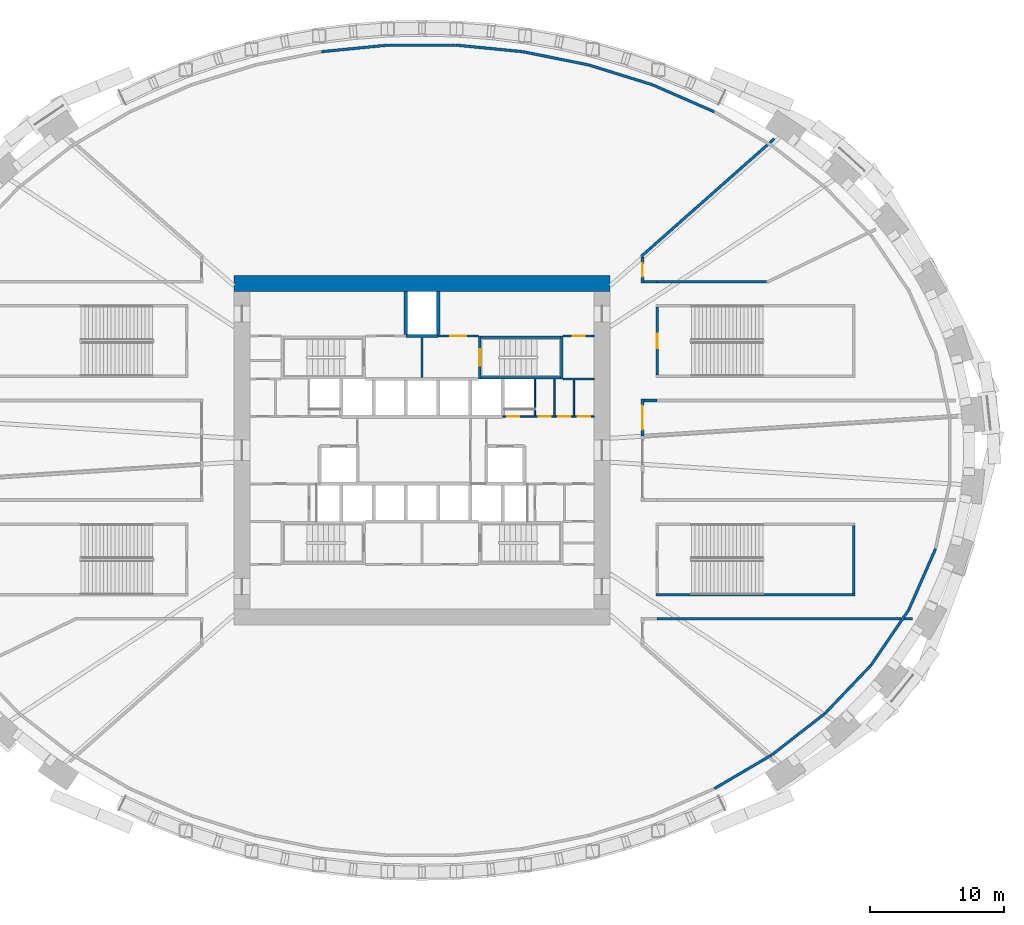
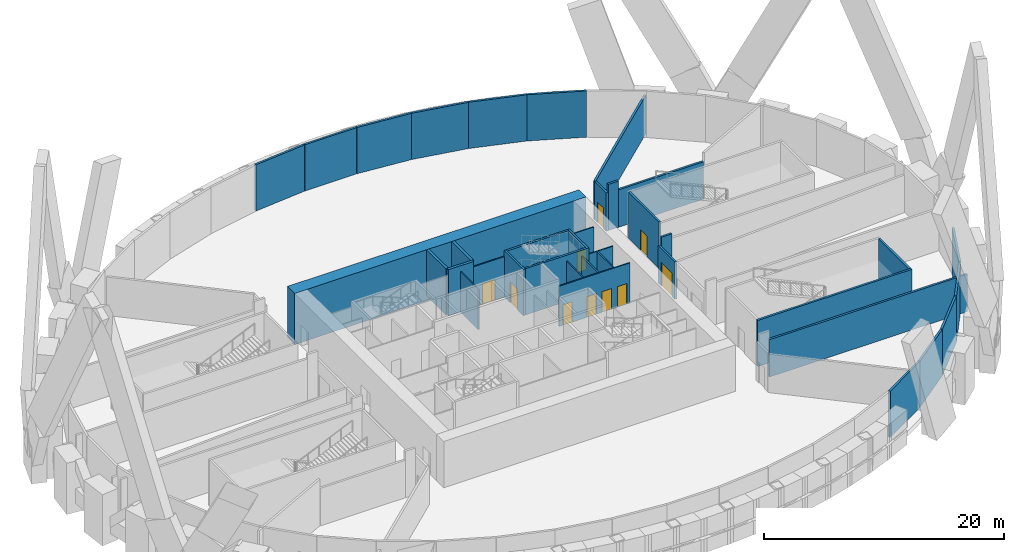
# One storey, part 10 of 16: 37 walls, 10 doors, 10 openings.
"""IFC4 building model written with IfcOpenShell, lengths in metres."""

from ifc_helpers import new_model, si_unit, direction, frame, frame_2d, origin, place, context, subcontext, project, spatial, rectangle, extrude, source, transform, mapped, material, layer, layer_set, type_object, element, fill, save


model = new_model("IFC4")

# Units and contexts
model_context = context("Model", 3, precision=1e-05, world=origin(), true_north=direction((0.0, 1.0)))
body_context = subcontext(model_context, "Body", "Model", "MODEL_VIEW")
ifc_project = project(units=[si_unit("LENGTHUNIT", "METRE"), si_unit("AREAUNIT", "SQUARE_METRE"), si_unit("VOLUMEUNIT", "CUBIC_METRE"), si_unit("PLANEANGLEUNIT", "RADIAN"), si_unit("MASSUNIT", "GRAM", prefix="KILO")], contexts=[model_context])

# Site, building, storey
site_placement = place(None, origin())
site = spatial("IfcSite", under=ifc_project, at=site_placement, CompositionType="ELEMENT")
building_placement = place(site_placement, origin())
building = spatial("IfcBuilding", under=site, at=building_placement, Name="Embergate Tower", CompositionType="ELEMENT")
storey_placement = place(building_placement, frame((0.0, 0.0, 24.0)))
storey = spatial("IfcBuildingStorey", under=building, at=storey_placement, Name="L02", CompositionType="ELEMENT", Elevation=24.0)

# Walls
ifc_material_1 = material(Name="Concrete C80", Category="concrete")
ifc_layer_1 = layer(ifc_material_1, 1.199951171875)
ifc_layer_set_1 = layer_set([ifc_layer_1], Name="Concrete C80")
wall_type_1 = type_object("IfcWallType", Name="Core outer wall C80 1200", PredefinedType="SHEAR", material=ifc_layer_set_1)
shared_shape_1 = source(origin(), body_context, "Body", "SweptSolid", [
    extrude(rectangle(XDim=28.0, YDim=1.199951171875, at=frame_2d((14.0, 0.0))), origin(), (0.0, 0.0, 1.0), 5.199951171875),
])
wall_1_placement = place(storey_placement, frame((-14.0, 12.39990234375, -0.5), z_axis=(0.0, 0.0, 1.0), x_axis=(1.0, 0.0, 0.0)))
element("IfcWall", 1, at=wall_1_placement, inside=storey, type_object=wall_type_1, Name="CW-L02-N", PredefinedType="SHEAR", context=body_context, shape_type="MappedRepresentation", body=[
    mapped(shared_shape_1, transform((0.0, 0.0, 0.0))),
])
ifc_material_2 = material(Name="Terracotta louvre cladding on insulated backing", Category="masonry")
ifc_layer_2 = layer(ifc_material_2, 0.199951171875)
ifc_layer_set_2 = layer_set([ifc_layer_2], Name="Terracotta louvre cladding on insulated backing")
wall_type_2 = type_object("IfcWallType", Name="Terracotta louvre wall", PredefinedType="SOLIDWALL", material=ifc_layer_set_2)
shared_shape_2 = source(origin(), body_context, "Body", "SweptSolid", [
    extrude(rectangle(XDim=4.943603515625, YDim=0.199951171875, at=frame_2d((2.4716796875, 0.0))), origin(), (0.0, 0.0, 1.0), 4.699951171875),
])
wall_2_placement = place(storey_placement, frame((38.216552734375, -7.331298828125, 0.0), z_axis=(0.0, 0.0, 1.0), x_axis=(-0.401647689183, -0.91579426389, 0.0)))
element("IfcWall", 2, at=wall_2_placement, inside=storey, type_object=wall_type_2, Name="Louvre wall 42", PredefinedType="SOLIDWALL", context=body_context, shape_type="MappedRepresentation", body=[
    mapped(shared_shape_2, transform((0.0, 0.0, 0.0))),
])
shared_shape_3 = source(origin(), body_context, "Body", "SweptSolid", [
    extrude(rectangle(XDim=4.95263671875, YDim=0.199951171875, at=frame_2d((2.476318359375, 0.0))), origin(), (0.0, 0.0, 1.0), 4.699951171875),
])
wall_3_placement = place(storey_placement, frame((36.22119140625, -11.876220703125, 0.0), z_axis=(0.0, 0.0, 1.0), x_axis=(-0.562310021407, -0.82692650207, 0.0)))
element("IfcWall", 3, at=wall_3_placement, inside=storey, type_object=wall_type_2, Name="Louvre wall 41", PredefinedType="SOLIDWALL", context=body_context, shape_type="MappedRepresentation", body=[
    mapped(shared_shape_3, transform((0.0, 0.0, 0.0))),
])
shared_shape_4 = source(origin(), body_context, "Body", "SweptSolid", [
    extrude(rectangle(XDim=4.961669921875, YDim=0.199951171875, at=frame_2d((2.48095703125, 0.0))), origin(), (0.0, 0.0, 1.0), 4.699951171875),
])
wall_4_placement = place(storey_placement, frame((33.423583984375, -15.987060546875, 0.0), z_axis=(0.0, 0.0, 1.0), x_axis=(-0.690103504096, -0.723710683654, 0.0)))
element("IfcWall", 4, at=wall_4_placement, inside=storey, type_object=wall_type_2, Name="Louvre wall 40", PredefinedType="SOLIDWALL", context=body_context, shape_type="MappedRepresentation", body=[
    mapped(shared_shape_4, transform((0.0, 0.0, 0.0))),
])
shared_shape_5 = source(origin(), body_context, "Body", "SweptSolid", [
    extrude(rectangle(XDim=4.96923828125, YDim=0.199951171875, at=frame_2d((2.484619140625, 0.0))), origin(), (0.0, 0.0, 1.0), 4.699951171875),
])
wall_5_placement = place(storey_placement, frame((29.98486328125, -19.59130859375, 0.0), z_axis=(0.0, 0.0, 1.0), x_axis=(-0.788332637982, -0.615249259968, 0.0)))
element("IfcWall", 5, at=wall_5_placement, inside=storey, type_object=wall_type_2, Name="Louvre wall 39", PredefinedType="SOLIDWALL", context=body_context, shape_type="MappedRepresentation", body=[
    mapped(shared_shape_5, transform((0.0, 0.0, 0.0))),
])
shared_shape_6 = source(origin(), body_context, "Body", "SweptSolid", [
    extrude(rectangle(XDim=4.975341796875, YDim=0.199951171875, at=frame_2d((2.48779296875, 0.0))), origin(), (0.0, 0.0, 1.0), 4.699951171875),
])
wall_6_placement = place(storey_placement, frame((26.05078125, -22.659912109375, 0.0), z_axis=(0.0, 0.0, 1.0), x_axis=(-0.86203133229, -0.506854991246, 0.0)))
element("IfcWall", 6, at=wall_6_placement, inside=storey, type_object=wall_type_2, Name="Louvre wall 38", PredefinedType="SOLIDWALL", context=body_context, shape_type="MappedRepresentation", body=[
    mapped(shared_shape_6, transform((0.0, 0.0, 0.0))),
])
shared_shape_7 = source(origin(), body_context, "Body", "SweptSolid", [
    extrude(rectangle(XDim=4.97998046875, YDim=0.199951171875, at=frame_2d((2.489990234375, 0.0))), origin(), (0.0, 0.0, 1.0), 4.699951171875),
])
wall_7_placement = place(storey_placement, frame((17.18115234375, 27.185791015625, 0.0), z_axis=(0.0, 0.0, 1.0), x_axis=(0.916245072647, -0.400618230801, 0.0)))
element("IfcWall", 7, at=wall_7_placement, inside=storey, type_object=wall_type_2, Name="Louvre wall 7", PredefinedType="SOLIDWALL", context=body_context, shape_type="MappedRepresentation", body=[
    mapped(shared_shape_7, transform((0.0, 0.0, 0.0))),
])
shared_shape_8 = source(origin(), body_context, "Body", "SweptSolid", [
    extrude(rectangle(XDim=4.9833984375, YDim=0.199951171875, at=frame_2d((2.49169921875, 0.0))), origin(), (0.0, 0.0, 1.0), 4.699951171875),
])
wall_8_placement = place(storey_placement, frame((12.404296875, 28.6748046875, 0.0), z_axis=(0.0, 0.0, 1.0), x_axis=(0.954762851693, -0.297368285175, 0.0)))
element("IfcWall", 8, at=wall_8_placement, inside=storey, type_object=wall_type_2, Name="Louvre wall 8", PredefinedType="SOLIDWALL", context=body_context, shape_type="MappedRepresentation", body=[
    mapped(shared_shape_8, transform((0.0, 0.0, 0.0))),
])
shared_shape_9 = source(origin(), body_context, "Body", "SweptSolid", [
    extrude(rectangle(XDim=4.98583984375, YDim=0.199951171875, at=frame_2d((2.492919921875, 0.0))), origin(), (0.0, 0.0, 1.0), 4.699951171875),
])
wall_9_placement = place(storey_placement, frame((7.49658203125, 29.66015625, 0.0), z_axis=(0.0, 0.0, 1.0), x_axis=(0.980473177294, -0.196652863208, 0.0)))
element("IfcWall", 9, at=wall_9_placement, inside=storey, type_object=wall_type_2, Name="Louvre wall 9", PredefinedType="SOLIDWALL", context=body_context, shape_type="MappedRepresentation", body=[
    mapped(shared_shape_9, transform((0.0, 0.0, 0.0))),
])
shared_shape_10 = source(origin(), body_context, "Body", "SweptSolid", [
    extrude(rectangle(XDim=4.987060546875, YDim=0.199951171875, at=frame_2d((2.49365234375, 0.0))), origin(), (0.0, 0.0, 1.0), 4.699951171875),
])
for number, where, z_axis, x_axis, name in (
    (10, (2.513671875, 30.15087890625, 0.0), (0.0, 0.0, 1.0), (0.995204913417, -0.097811964042, 0.0), "Louvre wall 10"),
    (11, (-7.476806640625, 29.6630859375, 0.0), (0.0, 0.0, 1.0), (0.995204913417, 0.097811964042, 0.0), "Louvre wall 12"),
):
    element("IfcWall", number, at=place(storey_placement, frame(where, z_axis=z_axis, x_axis=x_axis)), inside=storey, type_object=wall_type_2, Name=name, PredefinedType="SOLIDWALL", context=body_context, shape_type="MappedRepresentation", body=[
        mapped(shared_shape_10, transform((0.0, 0.0, 0.0))),
    ])
shared_shape_11 = source(origin(), body_context, "Body", "SweptSolid", [
    extrude(rectangle(XDim=4.9873046875, YDim=0.199951171875, at=frame_2d((2.49365234375, 0.0))), origin(), (0.0, 0.0, 1.0), 4.699951171875),
])
wall_10_placement = place(storey_placement, frame((-2.49365234375, 30.15185546875, 0.0), z_axis=(0.0, 0.0, 1.0), x_axis=(1.0, 0.0, 0.0)))
element("IfcWall", 12, at=wall_10_placement, inside=storey, type_object=wall_type_2, Name="Louvre wall 11", PredefinedType="SOLIDWALL", context=body_context, shape_type="MappedRepresentation", body=[
    mapped(shared_shape_11, transform((0.0, 0.0, 0.0))),
])

# Wall, openings, doors
ifc_material_3 = material(Name="Core partition blockwork 120")
ifc_layer_3 = layer(ifc_material_3, 0.1201171875)
ifc_layer_set_3 = layer_set([ifc_layer_3], Name="Core partition blockwork 120")
wall_type_3 = type_object("IfcWallType", Name="Core partition blockwork 120", PredefinedType="PARTITIONING", material=ifc_layer_set_3)
shared_shape_12 = source(origin(), body_context, "Body", "SweptSolid", [
    extrude(rectangle(XDim=6.800048828125, YDim=0.1201171875, at=frame_2d((3.39990234375, 0.0))), origin(), (0.0, 0.0, 1.0), 4.10009765625),
])
wall_11_placement = place(storey_placement, frame((6.0, 2.5, 0.0), z_axis=(0.0, 0.0, 1.0), x_axis=(1.0, 0.0, 0.0)))
wall_11 = element("IfcWall", 13, at=wall_11_placement, inside=storey, type_object=wall_type_3, Name="IP-3 wall", PredefinedType="PARTITIONING", context=body_context, shape_type="MappedRepresentation", body=[
    mapped(shared_shape_12, transform((0.0, 0.0, 0.0))),
])
shared_shape_13 = source(origin(), body_context, "Body", "SweptSolid", [
    extrude(rectangle(XDim=0.89990234375, YDim=2.10009765625, at=frame_2d((0.449951171875, 1.050048828125))), frame((0.0, 0.070068359375, 0.0), z_axis=(0.0, -1.0, 0.0), x_axis=(1.0, 0.0, 0.0)), (0.0, 0.0, 1.0), 0.14013671875),
])
opening_1_placement = place(wall_11_placement, frame((0.35009765625, 0.0, 0.0)))
opening_1 = element("IfcOpeningElement", 14, at=opening_1_placement, cuts=wall_11, Name="Opening ID-1", PredefinedType="OPENING", context=body_context, shape_type="MappedRepresentation", body=[
    mapped(shared_shape_13, transform((0.0, 0.0, 0.0))),
])
opening_2_placement = place(wall_11_placement, frame((2.676025390625, 0.0, 0.0)))
opening_2 = element("IfcOpeningElement", 15, at=opening_2_placement, cuts=wall_11, Name="Opening ID-1", PredefinedType="OPENING", context=body_context, shape_type="MappedRepresentation", body=[
    mapped(shared_shape_13, transform((0.0, 0.0, 0.0))),
])
opening_3_placement = place(wall_11_placement, frame((4.1279296875, 0.0, 0.0)))
opening_3 = element("IfcOpeningElement", 16, at=opening_3_placement, cuts=wall_11, Name="Opening ID-1", PredefinedType="OPENING", context=body_context, shape_type="MappedRepresentation", body=[
    mapped(shared_shape_13, transform((0.0, 0.0, 0.0))),
])
opening_4_placement = place(wall_11_placement, frame((5.60205078125, 0.0, 0.0)))
opening_4 = element("IfcOpeningElement", 17, at=opening_4_placement, cuts=wall_11, Name="Opening ID-1", PredefinedType="OPENING", context=body_context, shape_type="MappedRepresentation", body=[
    mapped(shared_shape_13, transform((0.0, 0.0, 0.0))),
])
ifc_material_4 = material(Name="Interior door 900")
door_type_1 = type_object("IfcDoorType", Name="Interior door 900", OperationType="SINGLE_SWING_LEFT", PredefinedType="DOOR", material=ifc_material_4)
shared_shape_14 = source(origin(), body_context, "Body", "SweptSolid", [
    extrude(rectangle(XDim=0.89990234375, YDim=2.10009765625, at=frame_2d((0.449951171875, 1.050048828125))), frame((0.0, 0.02490234375, 0.0), z_axis=(0.0, -1.0, 0.0), x_axis=(1.0, 0.0, 0.0)), (0.0, 0.0, 1.0), 0.050048828125),
])
door_1_placement = place(opening_1_placement, origin())
door_1 = element("IfcDoor", 18, at=door_1_placement, inside=storey, type_object=door_type_1, Name="ID-1 door", OperationType="SINGLE_SWING_RIGHT", OverallHeight=2.10009765625, OverallWidth=0.89990234375, PredefinedType="DOOR", context=body_context, shape_type="MappedRepresentation", body=[
    mapped(shared_shape_14, transform((0.0, 0.0, 0.0))),
])
fill(opening_1, door_1)
door_2_placement = place(opening_2_placement, origin())
door_2 = element("IfcDoor", 19, at=door_2_placement, inside=storey, type_object=door_type_1, Name="ID-1 door", OperationType="SINGLE_SWING_LEFT", OverallHeight=2.10009765625, OverallWidth=0.89990234375, PredefinedType="DOOR", context=body_context, shape_type="MappedRepresentation", body=[
    mapped(shared_shape_14, transform((0.0, 0.0, 0.0))),
])
fill(opening_2, door_2)
door_3_placement = place(opening_3_placement, origin())
door_3 = element("IfcDoor", 20, at=door_3_placement, inside=storey, type_object=door_type_1, Name="ID-1 door", OperationType="SINGLE_SWING_LEFT", OverallHeight=2.10009765625, OverallWidth=0.89990234375, PredefinedType="DOOR", context=body_context, shape_type="MappedRepresentation", body=[
    mapped(shared_shape_14, transform((0.0, 0.0, 0.0))),
])
fill(opening_3, door_3)
door_4_placement = place(opening_4_placement, origin())
door_4 = element("IfcDoor", 21, at=door_4_placement, inside=storey, type_object=door_type_1, Name="ID-1 door", OperationType="SINGLE_SWING_RIGHT", OverallHeight=2.10009765625, OverallWidth=0.89990234375, PredefinedType="DOOR", context=body_context, shape_type="MappedRepresentation", body=[
    mapped(shared_shape_14, transform((0.0, 0.0, 0.0))),
])
fill(opening_4, door_4)

# Walls
ifc_material_5 = material(Name="Concrete C50", Category="concrete")
ifc_layer_4 = layer(ifc_material_5, 0.199951171875)
ifc_layer_set_4 = layer_set([ifc_layer_4], Name="Concrete C50")
wall_type_4 = type_object("IfcWallType", Name="Stair enclosure wall reinforced concrete 250", PredefinedType="SHEAR", material=ifc_layer_set_4)
shared_shape_15 = source(origin(), body_context, "Body", "SweptSolid", [
    extrude(rectangle(XDim=6.300048828125, YDim=0.199951171875, at=frame_2d((3.14990234375, 0.0))), origin(), (0.0, 0.0, 1.0), 4.699951171875),
])
for number, where, z_axis, x_axis, name in (
    (22, (10.5, 5.39990234375, 0.0), (0.0, 0.0, 1.0), (-1.0, 0.0, 0.0), "SE-1 wall"),
    (23, (10.5, 8.39990234375, 0.0), (0.0, 0.0, 1.0), (-1.0, 0.0, 0.0), "SE-1 wall"),
):
    element("IfcWall", number, at=place(storey_placement, frame(where, z_axis=z_axis, x_axis=x_axis)), inside=storey, type_object=wall_type_4, Name=name, PredefinedType="SHEAR", context=body_context, shape_type="MappedRepresentation", body=[
        mapped(shared_shape_15, transform((0.0, 0.0, 0.0))),
    ])
shared_shape_16 = source(origin(), body_context, "Body", "SweptSolid", [
    extrude(rectangle(XDim=2.739990234375, YDim=0.1201171875, at=frame_2d((1.3701171875, 0.0))), origin(), (0.0, 0.0, 1.0), 4.10009765625),
])
for number, where, z_axis, x_axis, name in (
    (24, (8.39990234375, 2.56005859375, 0.0), (0.0, 0.0, 1.0), (0.0, 1.0, 0.0), "IP-3 wall"),
    (25, (9.85205078125, 2.56005859375, 0.0), (0.0, 0.0, 1.0), (0.0, 1.0, 0.0), "IP-3 wall"),
):
    element("IfcWall", number, at=place(storey_placement, frame(where, z_axis=z_axis, x_axis=x_axis)), inside=storey, type_object=wall_type_3, Name=name, PredefinedType="PARTITIONING", context=body_context, shape_type="MappedRepresentation", body=[
        mapped(shared_shape_16, transform((0.0, 0.0, 0.0))),
    ])

# Wall, opening, door
shared_shape_17 = source(origin(), body_context, "Body", "SweptSolid", [
    extrude(rectangle(XDim=3.199951171875, YDim=0.199951171875, at=frame_2d((1.60009765625, 0.0))), origin(), (0.0, 0.0, 1.0), 4.699951171875),
])
wall_12_placement = place(storey_placement, frame((4.300048828125, 8.5, 0.0), z_axis=(0.0, 0.0, 1.0), x_axis=(0.0, -1.0, 0.0)))
wall_12 = element("IfcWall", 26, at=wall_12_placement, inside=storey, type_object=wall_type_4, Name="SE-1 wall", PredefinedType="SHEAR", context=body_context, shape_type="MappedRepresentation", body=[
    mapped(shared_shape_17, transform((0.0, 0.0, 0.0))),
])
shared_shape_18 = source(origin(), body_context, "Body", "SweptSolid", [
    extrude(rectangle(XDim=1.199951171875, YDim=2.10009765625, at=frame_2d((0.60009765625, 1.050048828125))), frame((0.0, 0.10986328125, 0.0), z_axis=(0.0, -1.0, 0.0), x_axis=(1.0, 0.0, 0.0)), (0.0, 0.0, 1.0), 0.219970703125),
])
opening_5_placement = place(wall_12_placement, frame((1.0, 0.0, 0.0)))
opening_5 = element("IfcOpeningElement", 27, at=opening_5_placement, cuts=wall_12, Name="Opening IF-2", PredefinedType="OPENING", context=body_context, shape_type="MappedRepresentation", body=[
    mapped(shared_shape_18, transform((0.0, 0.0, 0.0))),
])
ifc_material_6 = material(Name="Stair enclosure door 1200")
door_type_2 = type_object("IfcDoorType", Name="Stair enclosure door 1200", OperationType="SINGLE_SWING_LEFT", PredefinedType="DOOR", material=ifc_material_6)
shared_shape_19 = source(origin(), body_context, "Body", "SweptSolid", [
    extrude(rectangle(XDim=1.199951171875, YDim=2.10009765625, at=frame_2d((0.60009765625, 1.050048828125))), frame((0.0, 0.02490234375, 0.0), z_axis=(0.0, -1.0, 0.0), x_axis=(1.0, 0.0, 0.0)), (0.0, 0.0, 1.0), 0.050048828125),
])
door_5_placement = place(opening_5_placement, origin())
door_5 = element("IfcDoor", 28, at=door_5_placement, inside=storey, type_object=door_type_2, Name="IF-2 door", OperationType="SINGLE_SWING_RIGHT", OverallHeight=2.10009765625, OverallWidth=1.199951171875, PredefinedType="DOOR", context=body_context, shape_type="MappedRepresentation", body=[
    mapped(shared_shape_19, transform((0.0, 0.0, 0.0))),
])
fill(opening_5, door_5)

# Walls
wall_13_placement = place(storey_placement, frame((10.39990234375, 5.300048828125, 0.0), z_axis=(0.0, 0.0, 1.0), x_axis=(0.0, 1.0, 0.0)))
element("IfcWall", 29, at=wall_13_placement, inside=storey, type_object=wall_type_4, Name="SE-1 wall", PredefinedType="SHEAR", context=body_context, shape_type="MappedRepresentation", body=[
    mapped(shared_shape_17, transform((0.0, 0.0, 0.0))),
])
shared_shape_20 = source(origin(), body_context, "Body", "SweptSolid", [
    extrude(rectangle(XDim=2.949951171875, YDim=0.1201171875, at=frame_2d((1.47509765625, 0.0))), origin(), (0.0, 0.0, 1.0), 4.10009765625),
])
wall_14_placement = place(storey_placement, frame((0.0, 5.425048828125, 0.0), z_axis=(0.0, 0.0, 1.0), x_axis=(0.0, 1.0, 0.0)))
element("IfcWall", 30, at=wall_14_placement, inside=storey, type_object=wall_type_3, Name="IP-3 wall", PredefinedType="PARTITIONING", context=body_context, shape_type="MappedRepresentation", body=[
    mapped(shared_shape_20, transform((0.0, 0.0, 0.0))),
])

# Wall, opening, door
shared_shape_21 = source(origin(), body_context, "Body", "SweptSolid", [
    extrude(rectangle(XDim=3.0, YDim=0.1201171875, at=frame_2d((1.5, 0.0))), origin(), (0.0, 0.0, 1.0), 4.10009765625),
])
wall_15_placement = place(storey_placement, frame((4.199951171875, 8.5, 0.0), z_axis=(0.0, 0.0, 1.0), x_axis=(-1.0, 0.0, 0.0)))
wall_15 = element("IfcWall", 31, at=wall_15_placement, inside=storey, type_object=wall_type_3, Name="IP-3 wall", PredefinedType="PARTITIONING", context=body_context, shape_type="MappedRepresentation", body=[
    mapped(shared_shape_21, transform((0.0, 0.0, 0.0))),
])
shared_shape_22 = source(origin(), body_context, "Body", "SweptSolid", [
    extrude(rectangle(XDim=1.199951171875, YDim=2.10009765625, at=frame_2d((0.60009765625, 1.050048828125))), frame((0.0, 0.070068359375, 0.0), z_axis=(0.0, -1.0, 0.0), x_axis=(1.0, 0.0, 0.0)), (0.0, 0.0, 1.0), 0.14013671875),
])
opening_6_placement = place(wall_15_placement, frame((0.89990234375, 0.0, 0.0)))
opening_6 = element("IfcOpeningElement", 32, at=opening_6_placement, cuts=wall_15, Name="Opening IF-3f", PredefinedType="OPENING", context=body_context, shape_type="MappedRepresentation", body=[
    mapped(shared_shape_22, transform((0.0, 0.0, 0.0))),
])
ifc_material_7 = material(Name="Lobby fire door pair 1200")
door_type_3 = type_object("IfcDoorType", Name="Lobby fire door pair 1200", OperationType="DOUBLE_DOOR_SINGLE_SWING", PredefinedType="DOOR", material=ifc_material_7)
door_6_placement = place(opening_6_placement, origin())
door_6 = element("IfcDoor", 33, at=door_6_placement, inside=storey, type_object=door_type_3, Name="IF-3 door", OperationType="DOUBLE_DOOR_SINGLE_SWING", OverallHeight=2.10009765625, OverallWidth=1.199951171875, PredefinedType="DOOR", context=body_context, shape_type="MappedRepresentation", body=[
    mapped(shared_shape_19, transform((0.0, 0.0, 0.0))),
])
fill(opening_6, door_6)

# Walls
ifc_layer_5 = layer(ifc_material_5, 0.25)
ifc_layer_set_5 = layer_set([ifc_layer_5], Name="Concrete C50")
wall_type_5 = type_object("IfcWallType", Name="Hoistway wall reinforced concrete 250", PredefinedType="SHEAR", material=ifc_layer_set_5)
shared_shape_23 = source(origin(), body_context, "Body", "SweptSolid", [
    extrude(rectangle(XDim=2.39990234375, YDim=0.25, at=frame_2d((1.199951171875, 0.0))), origin(), (0.0, 0.0, 1.0), 4.699951171875),
])
wall_16_placement = place(storey_placement, frame((1.199951171875, 8.5, 0.0), z_axis=(0.0, 0.0, 1.0), x_axis=(-1.0, 0.0, 0.0)))
element("IfcWall", 34, at=wall_16_placement, inside=storey, type_object=wall_type_5, Name="HW-1 wall", PredefinedType="SHEAR", context=body_context, shape_type="MappedRepresentation", body=[
    mapped(shared_shape_23, transform((0.0, 0.0, 0.0))),
])
shared_shape_24 = source(origin(), body_context, "Body", "SweptSolid", [
    extrude(rectangle(XDim=3.175048828125, YDim=0.25, at=frame_2d((1.58740234375, 0.0))), origin(), (0.0, 0.0, 1.0), 4.699951171875),
])
for number, where, z_axis, x_axis, name in (
    (35, (-1.199951171875, 8.625, 0.0), (0.0, 0.0, 1.0), (0.0, 1.0, 0.0), "HW-1 wall"),
    (36, (1.199951171875, 11.800048828125, 0.0), (0.0, 0.0, 1.0), (0.0, -1.0, 0.0), "HW-1 wall"),
):
    element("IfcWall", number, at=place(storey_placement, frame(where, z_axis=z_axis, x_axis=x_axis)), inside=storey, type_object=wall_type_5, Name=name, PredefinedType="SHEAR", context=body_context, shape_type="MappedRepresentation", body=[
        mapped(shared_shape_24, transform((0.0, 0.0, 0.0))),
    ])

# Wall, opening, door
shared_shape_25 = source(origin(), body_context, "Body", "SweptSolid", [
    extrude(rectangle(XDim=2.300048828125, YDim=0.1201171875, at=frame_2d((1.14990234375, 0.0))), origin(), (0.0, 0.0, 1.0), 4.10009765625),
])
wall_17_placement = place(storey_placement, frame((10.5, 8.5, 0.0), z_axis=(0.0, 0.0, 1.0), x_axis=(1.0, 0.0, 0.0)))
wall_17 = element("IfcWall", 37, at=wall_17_placement, inside=storey, type_object=wall_type_3, Name="IP-3 wall", PredefinedType="PARTITIONING", context=body_context, shape_type="MappedRepresentation", body=[
    mapped(shared_shape_25, transform((0.0, 0.0, 0.0))),
])
opening_7_placement = place(wall_17_placement, frame((0.699951171875, 0.0, 0.0)))
opening_7 = element("IfcOpeningElement", 38, at=opening_7_placement, cuts=wall_17, Name="Opening ID-1", PredefinedType="OPENING", context=body_context, shape_type="MappedRepresentation", body=[
    mapped(shared_shape_13, transform((0.0, 0.0, 0.0))),
])
door_7_placement = place(opening_7_placement, origin())
door_7 = element("IfcDoor", 39, at=door_7_placement, inside=storey, type_object=door_type_1, Name="ID-1 door", OperationType="SINGLE_SWING_RIGHT", OverallHeight=2.10009765625, OverallWidth=0.89990234375, PredefinedType="DOOR", context=body_context, shape_type="MappedRepresentation", body=[
    mapped(shared_shape_14, transform((0.0, 0.0, 0.0))),
])
fill(opening_7, door_7)

# Walls
wall_18_placement = place(storey_placement, frame((12.800048828125, 5.300048828125, 0.0), z_axis=(0.0, 0.0, 1.0), x_axis=(-1.0, 0.0, 0.0)))
element("IfcWall", 40, at=wall_18_placement, inside=storey, type_object=wall_type_3, Name="IP-3 wall", PredefinedType="PARTITIONING", context=body_context, shape_type="MappedRepresentation", body=[
    mapped(shared_shape_25, transform((0.0, 0.0, 0.0))),
])
shared_shape_26 = source(origin(), body_context, "Body", "SweptSolid", [
    extrude(rectangle(XDim=2.679931640625, YDim=0.1201171875, at=frame_2d((1.33984375, 0.0))), origin(), (0.0, 0.0, 1.0), 4.10009765625),
])
wall_19_placement = place(storey_placement, frame((11.303955078125, 2.56005859375, 0.0), z_axis=(0.0, 0.0, 1.0), x_axis=(0.0, 1.0, 0.0)))
element("IfcWall", 41, at=wall_19_placement, inside=storey, type_object=wall_type_3, Name="IP-3 wall", PredefinedType="PARTITIONING", context=body_context, shape_type="MappedRepresentation", body=[
    mapped(shared_shape_26, transform((0.0, 0.0, 0.0))),
])

# Wall, opening, door
ifc_material_8 = material(Name="Concrete C40", Category="concrete")
ifc_layer_6 = layer(ifc_material_8, 0.199951171875)
ifc_layer_set_6 = layer_set([ifc_layer_6], Name="Concrete C40")
wall_type_6 = type_object("IfcWallType", Name="Stair enclosure wall RC 200", PredefinedType="STANDARD", material=ifc_layer_set_6)
shared_shape_27 = source(origin(), body_context, "Body", "SweptSolid", [
    extrude(rectangle(XDim=5.0498046875, YDim=0.199951171875, at=frame_2d((2.52490234375, 0.0))), origin(), (0.0, 0.0, 1.0), 4.699951171875),
])
wall_20_placement = place(storey_placement, frame((17.5, 10.64990234375, 0.0), z_axis=(0.0, 0.0, 1.0), x_axis=(0.0, -1.0, 0.0)))
wall_20 = element("IfcWall", 42, at=wall_20_placement, inside=storey, type_object=wall_type_6, Name="Stair wall 040", PredefinedType="STANDARD", context=body_context, shape_type="MappedRepresentation", body=[
    mapped(shared_shape_27, transform((0.0, 0.0, 0.0))),
])
shared_shape_28 = source(origin(), body_context, "Body", "SweptSolid", [
    extrude(rectangle(XDim=1.10009765625, YDim=2.10009765625, at=frame_2d((0.550048828125, 1.050048828125))), frame((0.0, 0.10986328125, 0.0), z_axis=(0.0, -1.0, 0.0), x_axis=(1.0, 0.0, 0.0)), (0.0, 0.0, 1.0), 0.219970703125),
])
opening_8_placement = place(wall_20_placement, frame((1.97509765625, 0.0, 0.0)))
opening_8 = element("IfcOpeningElement", 43, at=opening_8_placement, cuts=wall_20, Name="Opening DS-056", PredefinedType="OPENING", context=body_context, shape_type="MappedRepresentation", body=[
    mapped(shared_shape_28, transform((0.0, 0.0, 0.0))),
])
ifc_material_9 = material(Name="Steel fire door leaf", Category="steel")
door_type_4 = type_object("IfcDoorType", Name="Fire door class B 1100x2100", OperationType="SINGLE_SWING_LEFT", PredefinedType="DOOR", material=ifc_material_9)
shared_shape_29 = source(origin(), body_context, "Body", "SweptSolid", [
    extrude(rectangle(XDim=1.10009765625, YDim=2.10009765625, at=frame_2d((0.550048828125, 1.050048828125))), frame((0.0, 0.02490234375, 0.0), z_axis=(0.0, -1.0, 0.0), x_axis=(1.0, 0.0, 0.0)), (0.0, 0.0, 1.0), 0.050048828125),
])
door_8_placement = place(opening_8_placement, origin())
door_8 = element("IfcDoor", 44, at=door_8_placement, inside=storey, type_object=door_type_4, Name="Door to Exit stair enclosure", OperationType="SINGLE_SWING_LEFT", OverallHeight=2.10009765625, OverallWidth=1.10009765625, PredefinedType="DOOR", context=body_context, shape_type="MappedRepresentation", body=[
    mapped(shared_shape_29, transform((0.0, 0.0, 0.0))),
])
fill(opening_8, door_8)

# Walls
wall_21_placement = place(storey_placement, frame((32.1201171875, -5.60009765625, 0.0), z_axis=(0.0, 0.0, 1.0), x_axis=(0.0, -1.0, 0.0)))
element("IfcWall", 45, at=wall_21_placement, inside=storey, type_object=wall_type_6, Name="Stair wall 044", PredefinedType="STANDARD", context=body_context, shape_type="MappedRepresentation", body=[
    mapped(shared_shape_27, transform((0.0, 0.0, 0.0))),
])
shared_shape_30 = source(origin(), body_context, "Body", "SweptSolid", [
    extrude(rectangle(XDim=14.820068359375, YDim=0.199951171875, at=frame_2d((7.41015625, 0.0))), origin(), (0.0, 0.0, 1.0), 4.699951171875),
])
wall_22_placement = place(storey_placement, frame((17.39990234375, -10.75, 0.0), z_axis=(0.0, 0.0, 1.0), x_axis=(1.0, 0.0, 0.0)))
element("IfcWall", 46, at=wall_22_placement, inside=storey, type_object=wall_type_6, Name="Stair wall 035", PredefinedType="STANDARD", context=body_context, shape_type="MappedRepresentation", body=[
    mapped(shared_shape_30, transform((0.0, 0.0, 0.0))),
])
ifc_material_10 = material(Name="Blockwork, plastered", Category="masonry")
ifc_layer_7 = layer(ifc_material_10, 0.199951171875)
ifc_layer_set_7 = layer_set([ifc_layer_7], Name="Blockwork, plastered")
wall_type_7 = type_object("IfcWallType", Name="Fire partition wall 200 block", PredefinedType="PARTITIONING", material=ifc_layer_set_7)
shared_shape_31 = source(origin(), body_context, "Body", "SweptSolid", [
    extrude(rectangle(XDim=13.1982421875, YDim=0.199951171875, at=frame_2d((6.59912109375, 0.0))), origin(), (0.0, 0.0, 1.0), 3.89990234375),
])
wall_23_placement = place(storey_placement, frame((16.324951171875, 14.43701171875, 0.0), z_axis=(0.0, 0.0, 1.0), x_axis=(0.749118361103, 0.662436171308, 0.0)))
element("IfcWall", 47, at=wall_23_placement, inside=storey, type_object=wall_type_7, Name="Partition 032", PredefinedType="PARTITIONING", context=body_context, shape_type="MappedRepresentation", body=[
    mapped(shared_shape_31, transform((0.0, 0.0, 0.0))),
])
shared_shape_32 = source(origin(), body_context, "Body", "SweptSolid", [
    extrude(rectangle(XDim=8.14990234375, YDim=0.199951171875, at=frame_2d((4.074951171875, 0.0))), origin(), (0.0, 0.0, 1.0), 3.800048828125),
])
wall_24_placement = place(storey_placement, frame((25.64990234375, 12.550048828125, 0.0), z_axis=(0.0, 0.0, 1.0), x_axis=(-1.0, 0.0, 0.0)))
element("IfcWall", 48, at=wall_24_placement, inside=storey, type_object=wall_type_7, Name="Partition 041", PredefinedType="PARTITIONING", context=body_context, shape_type="MappedRepresentation", body=[
    mapped(shared_shape_32, transform((0.0, 0.0, 0.0))),
])
shared_shape_33 = source(origin(), body_context, "Body", "SweptSolid", [
    extrude(rectangle(XDim=1.0, YDim=0.199951171875, at=frame_2d((0.5, 0.0))), origin(), (0.0, 0.0, 1.0), 4.699951171875),
])
for number, where, z_axis, x_axis, name in (
    (49, (16.5, 12.550048828125, 0.0), (0.0, 0.0, 1.0), (1.0, 0.0, 0.0), "Partition 030"),
    (50, (17.5, 3.699951171875, 0.0), (0.0, 0.0, 1.0), (-1.0, 0.0, 0.0), "Partition 037"),
):
    element("IfcWall", number, at=place(storey_placement, frame(where, z_axis=z_axis, x_axis=x_axis)), inside=storey, type_object=wall_type_7, Name=name, PredefinedType="PARTITIONING", context=body_context, shape_type="MappedRepresentation", body=[
        mapped(shared_shape_33, transform((0.0, 0.0, 0.0))),
    ])
shared_shape_34 = source(origin(), body_context, "Body", "SweptSolid", [
    extrude(rectangle(XDim=18.989990234375, YDim=0.199951171875, at=frame_2d((9.4951171875, 0.0))), origin(), (0.0, 0.0, 1.0), 3.800048828125),
])
wall_25_placement = place(storey_placement, frame((17.5, -12.550048828125, 0.0), z_axis=(0.0, 0.0, 1.0), x_axis=(1.0, 0.0, 0.0)))
element("IfcWall", 51, at=wall_25_placement, inside=storey, type_object=wall_type_7, Name="Partition 034", PredefinedType="PARTITIONING", context=body_context, shape_type="MappedRepresentation", body=[
    mapped(shared_shape_34, transform((0.0, 0.0, 0.0))),
])

# Wall, opening, door
shared_shape_35 = source(origin(), body_context, "Body", "SweptSolid", [
    extrude(rectangle(XDim=1.923095703125, YDim=0.199951171875, at=frame_2d((0.96142578125, 0.0))), origin(), (0.0, 0.0, 1.0), 3.89990234375),
])
wall_26_placement = place(storey_placement, frame((16.39990234375, 14.373046875, 0.0), z_axis=(0.0, 0.0, 1.0), x_axis=(0.0, -1.0, 0.0)))
wall_26 = element("IfcWall", 52, at=wall_26_placement, inside=storey, type_object=wall_type_7, Name="Partition 031", PredefinedType="PARTITIONING", context=body_context, shape_type="MappedRepresentation", body=[
    mapped(shared_shape_35, transform((0.0, 0.0, 0.0))),
])
shared_shape_36 = source(origin(), body_context, "Body", "SweptSolid", [
    extrude(rectangle(XDim=1.0, YDim=2.10009765625, at=frame_2d((0.5, 1.050048828125))), frame((0.0, 0.10986328125, 0.0), z_axis=(0.0, -1.0, 0.0), x_axis=(1.0, 0.0, 0.0)), (0.0, 0.0, 1.0), 0.219970703125),
])
opening_9_placement = place(wall_26_placement, frame((0.4609375, 0.0, 0.0)))
opening_9 = element("IfcOpeningElement", 53, at=opening_9_placement, cuts=wall_26, Name="Opening DS-050", PredefinedType="OPENING", context=body_context, shape_type="MappedRepresentation", body=[
    mapped(shared_shape_36, transform((0.0, 0.0, 0.0))),
])
ifc_material_11 = material(Name="Timber door leaf, steel frame", Category="steel")
door_type_5 = type_object("IfcDoorType", Name="Single door 1000x2100", OperationType="SINGLE_SWING_LEFT", PredefinedType="DOOR", material=ifc_material_11)
shared_shape_37 = source(origin(), body_context, "Body", "SweptSolid", [
    extrude(rectangle(XDim=1.0, YDim=2.10009765625, at=frame_2d((0.5, 1.050048828125))), frame((0.0, 0.02490234375, 0.0), z_axis=(0.0, -1.0, 0.0), x_axis=(1.0, 0.0, 0.0)), (0.0, 0.0, 1.0), 0.050048828125),
])
door_9_placement = place(opening_9_placement, origin())
door_9 = element("IfcDoor", 54, at=door_9_placement, inside=storey, type_object=door_type_5, Name="Door to Refuge area", OperationType="SINGLE_SWING_LEFT", OverallHeight=2.10009765625, OverallWidth=1.0, PredefinedType="DOOR", context=body_context, shape_type="MappedRepresentation", body=[
    mapped(shared_shape_37, transform((0.0, 0.0, 0.0))),
])
fill(opening_9, door_9)

shared_shape_38 = source(origin(), body_context, "Body", "SweptSolid", [
    extrude(rectangle(XDim=2.744140625, YDim=0.199951171875, at=frame_2d((1.3720703125, 0.0))), origin(), (0.0, 0.0, 1.0), 3.800048828125),
])
wall_27_placement = place(storey_placement, frame((16.39990234375, 3.800048828125, 0.0), z_axis=(0.0, 0.0, 1.0), x_axis=(0.0, -1.0, 0.0)))
wall_27 = element("IfcWall", 55, at=wall_27_placement, inside=storey, type_object=wall_type_7, Name="Partition 029", PredefinedType="PARTITIONING", context=body_context, shape_type="MappedRepresentation", body=[
    mapped(shared_shape_38, transform((0.0, 0.0, 0.0))),
])
shared_shape_39 = source(origin(), body_context, "Body", "SweptSolid", [
    extrude(rectangle(XDim=1.800048828125, YDim=2.39990234375, at=frame_2d((0.89990234375, 1.199951171875))), frame((0.0, 0.10986328125, 0.0), z_axis=(0.0, -1.0, 0.0), x_axis=(1.0, 0.0, 0.0)), (0.0, 0.0, 1.0), 0.219970703125),
])
opening_10_placement = place(wall_27_placement, frame((0.471923828125, 0.0, 0.0)))
opening_10 = element("IfcOpeningElement", 56, at=opening_10_placement, cuts=wall_27, Name="Opening DS-049", PredefinedType="OPENING", context=body_context, shape_type="MappedRepresentation", body=[
    mapped(shared_shape_39, transform((0.0, 0.0, 0.0))),
])
door_type_6 = type_object("IfcDoorType", Name="Double door 1800x2400", OperationType="DOUBLE_DOOR_SINGLE_SWING", PredefinedType="DOOR", material=ifc_material_11)
shared_shape_40 = source(origin(), body_context, "Body", "SweptSolid", [
    extrude(rectangle(XDim=1.800048828125, YDim=2.39990234375, at=frame_2d((0.89990234375, 1.199951171875))), frame((0.0, 0.02490234375, 0.0), z_axis=(0.0, -1.0, 0.0), x_axis=(1.0, 0.0, 0.0)), (0.0, 0.0, 1.0), 0.050048828125),
])
door_10_placement = place(opening_10_placement, origin())
door_10 = element("IfcDoor", 57, at=door_10_placement, inside=storey, type_object=door_type_6, Name="Door to Refuge area", OperationType="SINGLE_SWING_LEFT", OverallHeight=2.39990234375, OverallWidth=1.800048828125, PredefinedType="DOOR", context=body_context, shape_type="MappedRepresentation", body=[
    mapped(shared_shape_40, transform((0.0, 0.0, 0.0))),
])
fill(opening_10, door_10)

save(model, "model.ifc")
